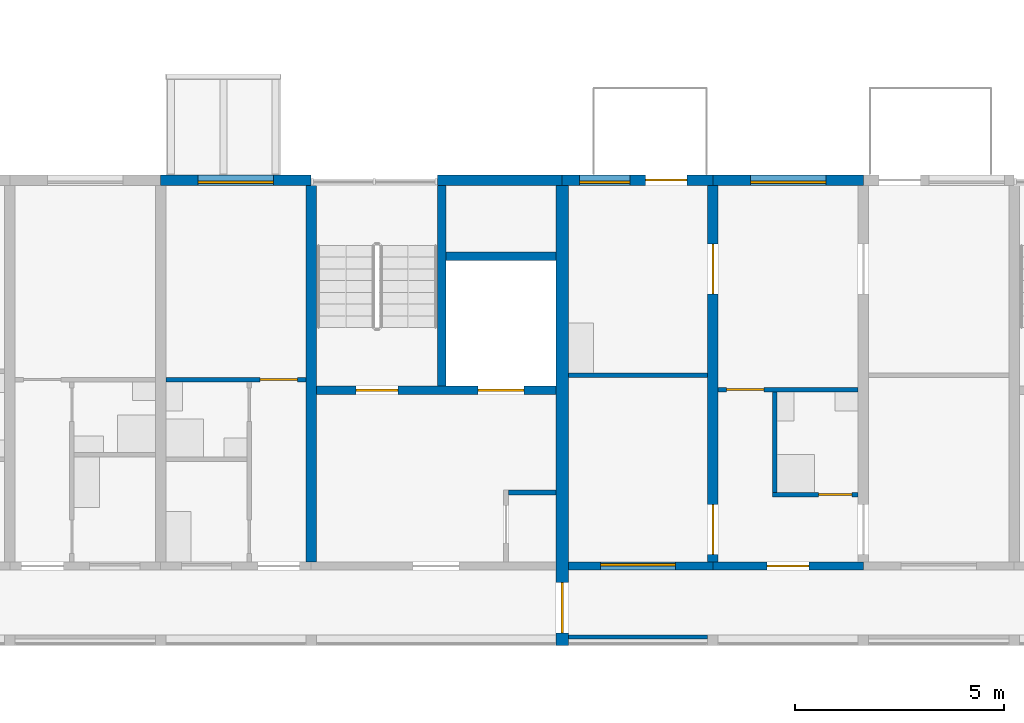
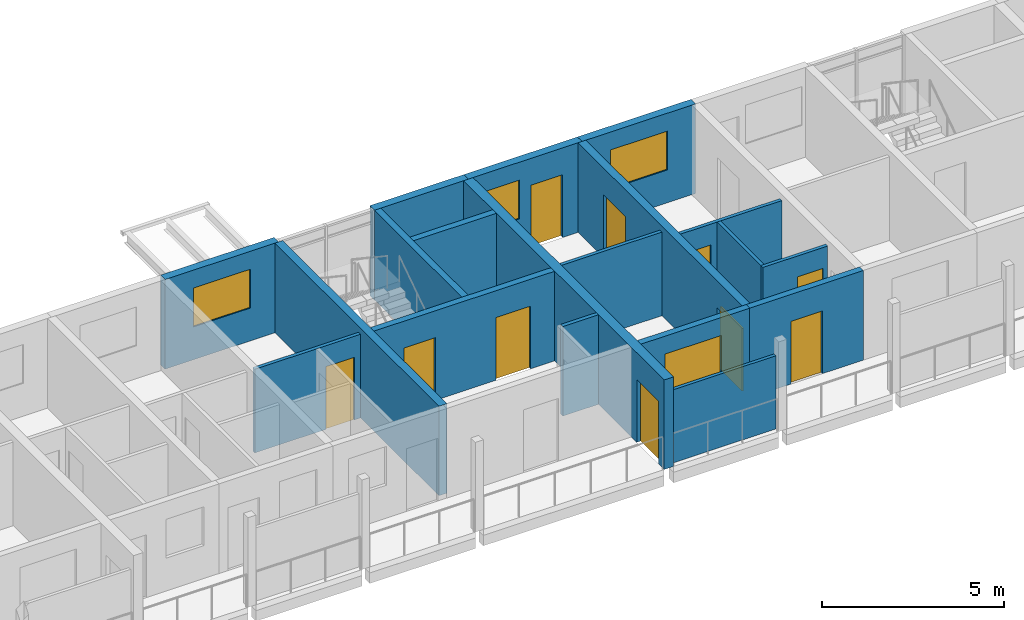
# One storey, part 50 of 100: 19 walls, 10 doors, 4 windows, 14 openings.
"""IFC4 building model written with IfcOpenShell, lengths in metres."""

from ifc_helpers import new_model, si_unit, direction, frame, frame_2d, origin, place, context, subcontext, project, spatial, rectangle, extrude, material, layer, layer_set, type_object, element, fill, save


model = new_model("IFC4")

# Units and contexts
model_context = context("Model", 3, precision=1e-05, world=origin(), true_north=direction((0.0, 1.0)))
body_context = subcontext(model_context, "Body", "Model", "MODEL_VIEW")
ifc_project = project(units=[si_unit("LENGTHUNIT", "METRE"), si_unit("AREAUNIT", "SQUARE_METRE"), si_unit("VOLUMEUNIT", "CUBIC_METRE"), si_unit("PLANEANGLEUNIT", "RADIAN"), si_unit("MASSUNIT", "GRAM", prefix="KILO")], contexts=[model_context])

# Site, building, storey
site_placement = place(None, origin())
site = spatial("IfcSite", under=ifc_project, at=site_placement, CompositionType="ELEMENT")
building_placement = place(site_placement, origin())
building = spatial("IfcBuilding", under=site, at=building_placement, Name="Ridgestep Commons", CompositionType="ELEMENT")
storey_placement = place(building_placement, frame((0.0, 0.0, 9.0)))
storey = spatial("IfcBuildingStorey", under=building, at=storey_placement, Name="L03", CompositionType="ELEMENT", Elevation=9.0)

# Walls
ifc_material_1 = material(Name="Concrete C30/37", Category="concrete")
ifc_layer_1 = layer(ifc_material_1, 0.25)
ifc_layer_set_1 = layer_set([ifc_layer_1], Name="Core cross wall 250")
wall_type_1 = type_object("IfcWallType", Name="Core cross wall 250", PredefinedType="SHEAR", material=ifc_layer_set_1)
wall_1_placement = place(storey_placement, frame((191.199951171875, 13.75, 0.0), z_axis=(0.0, 0.0, 1.0), x_axis=(0.0, 1.0, 0.0)))
element("IfcWall", 1, at=wall_1_placement, inside=storey, type_object=wall_type_1, Name="Cross wall D-03-1912", PredefinedType="SHEAR", context=body_context, shape_type="SweptSolid", body=[
    extrude(rectangle(XDim=9.0, YDim=0.25, at=frame_2d((4.5, 0.0))), origin(), (0.0, 0.0, 1.0), 3.0),
])
ifc_material_2 = material(Name="Concrete C30/37", Category="concrete")
ifc_layer_2 = layer(ifc_material_2, 0.1201171875)
ifc_layer_set_2 = layer_set([ifc_layer_2], Name="Core wall 120")
wall_type_2 = type_object("IfcWallType", Name="Core wall 120", PredefinedType="SHEAR", material=ifc_layer_set_2)
wall_2_placement = place(storey_placement, frame((195.919921875, 15.409912109375, 0.0), z_axis=(0.0, 0.0, 1.0), x_axis=(1.0, 0.0, 0.0)))
element("IfcWall", 2, at=wall_2_placement, inside=storey, type_object=wall_type_2, Name="Core riser n wall D3C L03", PredefinedType="SHEAR", context=body_context, shape_type="SweptSolid", body=[
    extrude(rectangle(XDim=1.130126953125, YDim=0.1201171875, at=frame_2d((0.56494140625, 0.0))), origin(), (0.0, 0.0, 1.0), 3.0),
])

# Wall, openings, doors
ifc_material_3 = material(Name="Concrete C30/37", Category="concrete")
ifc_layer_3 = layer(ifc_material_3, 0.199951171875)
ifc_layer_set_3 = layer_set([ifc_layer_3], Name="Core wall 200")
wall_type_3 = type_object("IfcWallType", Name="Core wall 200", PredefinedType="SHEAR", material=ifc_layer_set_3)
wall_3_placement = place(storey_placement, frame((191.324951171875, 17.85009765625, 0.0), z_axis=(0.0, 0.0, 1.0), x_axis=(1.0, 0.0, 0.0)))
wall_3 = element("IfcWall", 3, at=wall_3_placement, inside=storey, type_object=wall_type_3, Name="Core lobby wall D3C L03", PredefinedType="SHEAR", context=body_context, shape_type="SweptSolid", body=[
    extrude(rectangle(XDim=5.72509765625, YDim=0.199951171875, at=frame_2d((2.862548828125, 0.0))), origin(), (0.0, 0.0, 1.0), 3.0),
])
opening_1_placement = place(wall_3_placement, frame((0.949951171875, 0.0, 0.0)))
opening_1 = element("IfcOpeningElement", 4, at=opening_1_placement, cuts=wall_3, Name="Opening D3C/03/2", PredefinedType="OPENING", context=body_context, shape_type="SweptSolid", body=[
    extrude(rectangle(XDim=1.0, YDim=2.10009765625, at=frame_2d((0.5, 1.050048828125))), frame((0.0, 0.10986328125, 0.0), z_axis=(0.0, -1.0, 0.0), x_axis=(1.0, 0.0, 0.0)), (0.0, 0.0, 1.0), 0.219970703125),
])
opening_2_placement = place(wall_3_placement, frame((3.862548828125, 0.0, 0.0)))
opening_2 = element("IfcOpeningElement", 5, at=opening_2_placement, cuts=wall_3, Name="Opening D3C/03/3", PredefinedType="OPENING", context=body_context, shape_type="SweptSolid", body=[
    extrude(rectangle(XDim=1.10009765625, YDim=2.10009765625, at=frame_2d((0.550048828125, 1.050048828125))), frame((0.0, 0.10986328125, 0.0), z_axis=(0.0, -1.0, 0.0), x_axis=(1.0, 0.0, 0.0)), (0.0, 0.0, 1.0), 0.219970703125),
])
ifc_material_4 = material(Name="Stainless steel", Category="steel")
door_type_1 = type_object("IfcDoorType", Name="Lift landing door 1100 x 2100 FD60", OperationType="DOUBLE_DOOR_SLIDING", PredefinedType="DOOR", material=ifc_material_4)
door_1_placement = place(opening_2_placement, origin())
door_1 = element("IfcDoor", 6, at=door_1_placement, inside=storey, type_object=door_type_1, Name="Landing door LD D3C L03", OperationType="DOUBLE_DOOR_SLIDING", OverallHeight=2.10009765625, OverallWidth=1.10009765625, PredefinedType="DOOR", context=body_context, shape_type="SweptSolid", body=[
    extrude(rectangle(XDim=1.10009765625, YDim=2.10009765625, at=frame_2d((0.550048828125, 1.050048828125))), frame((0.0, 0.02490234375, 0.0), z_axis=(0.0, -1.0, 0.0), x_axis=(1.0, 0.0, 0.0)), (0.0, 0.0, 1.0), 0.050048828125),
])
fill(opening_2, door_1)
ifc_material_5 = material(Name="Steel fire door", Category="steel")
door_type_2 = type_object("IfcDoorType", Name="Stair door 1000 x 2100 FD60", OperationType="NOTDEFINED", PredefinedType="DOOR", material=ifc_material_5)
door_2_placement = place(opening_1_placement, origin())
door_2 = element("IfcDoor", 7, at=door_2_placement, inside=storey, type_object=door_type_2, Name="Stair door D3C/03/2", OperationType="SINGLE_SWING_RIGHT", OverallHeight=2.10009765625, OverallWidth=1.0, PredefinedType="DOOR", context=body_context, shape_type="SweptSolid", body=[
    extrude(rectangle(XDim=1.0, YDim=2.10009765625, at=frame_2d((0.5, 1.050048828125))), frame((0.0, 0.02490234375, 0.0), z_axis=(0.0, -1.0, 0.0), x_axis=(1.0, 0.0, 0.0)), (0.0, 0.0, 1.0), 0.050048828125),
])
fill(opening_1, door_2)

# Walls
wall_4_placement = place(storey_placement, frame((194.324951171875, 17.949951171875, 0.0), z_axis=(0.0, 0.0, 1.0), x_axis=(0.0, 1.0, 0.0)))
element("IfcWall", 8, at=wall_4_placement, inside=storey, type_object=wall_type_3, Name="Core stair wall D3C L03", PredefinedType="SHEAR", context=body_context, shape_type="SweptSolid", body=[
    extrude(rectangle(XDim=4.800048828125, YDim=0.199951171875, at=frame_2d((2.39990234375, 0.0))), origin(), (0.0, 0.0, 1.0), 3.0),
])
wall_5_placement = place(storey_placement, frame((194.425048828125, 21.050048828125, 0.0), z_axis=(0.0, 0.0, 1.0), x_axis=(1.0, 0.0, 0.0)))
element("IfcWall", 9, at=wall_5_placement, inside=storey, type_object=wall_type_3, Name="Core duct wall D3C L03", PredefinedType="SHEAR", context=body_context, shape_type="SweptSolid", body=[
    extrude(rectangle(XDim=2.625, YDim=0.199951171875, at=frame_2d((1.3125, 0.0))), origin(), (0.0, 0.0, 1.0), 3.0),
])

# Wall, openings, doors
ifc_material_6 = material(Name="Precast concrete C40/50", Category="concrete")
ifc_layer_4 = layer(ifc_material_6, 0.25)
ifc_layer_set_4 = layer_set([ifc_layer_4], Name="Cross wall 250")
wall_type_4 = type_object("IfcWallType", Name="Cross wall 250", PredefinedType="SHEAR", material=ifc_layer_set_4)
wall_6_placement = place(storey_placement, frame((200.800048828125, 13.75, 0.0), z_axis=(0.0, 0.0, 1.0), x_axis=(0.0, 1.0, 0.0)))
wall_6 = element("IfcWall", 10, at=wall_6_placement, inside=storey, type_object=wall_type_4, Name="Cross wall D-03-2008", PredefinedType="SHEAR", context=body_context, shape_type="SweptSolid", body=[
    extrude(rectangle(XDim=9.0, YDim=0.25, at=frame_2d((4.5, 0.0))), origin(), (0.0, 0.0, 1.0), 3.0),
])
opening_3_placement = place(wall_6_placement, frame((0.175048828125, 0.0, 0.0)))
opening_3 = element("IfcOpeningElement", 11, at=opening_3_placement, cuts=wall_6, Name="Opening D4-03a/4", PredefinedType="OPENING", context=body_context, shape_type="SweptSolid", body=[
    extrude(rectangle(XDim=1.199951171875, YDim=2.10009765625, at=frame_2d((0.60009765625, 1.050048828125))), frame((0.0, 0.135009765625, 0.0), z_axis=(0.0, -1.0, 0.0), x_axis=(1.0, 0.0, 0.0)), (0.0, 0.0, 1.0), 0.27001953125),
])
opening_4_placement = place(wall_6_placement, frame((6.39990234375, 0.0, 0.0)))
opening_4 = element("IfcOpeningElement", 12, at=opening_4_placement, cuts=wall_6, Name="Opening D4-03a/5", PredefinedType="OPENING", context=body_context, shape_type="SweptSolid", body=[
    extrude(rectangle(XDim=1.199951171875, YDim=2.10009765625, at=frame_2d((0.60009765625, 1.050048828125))), frame((0.0, 0.135009765625, 0.0), z_axis=(0.0, -1.0, 0.0), x_axis=(1.0, 0.0, 0.0)), (0.0, 0.0, 1.0), 0.27001953125),
])
ifc_material_7 = material(Name="Timber door leaf", Category="wood")
door_type_3 = type_object("IfcDoorType", Name="Double door 1200 x 2100", OperationType="DOUBLE_DOOR_SINGLE_SWING", PredefinedType="DOOR", material=ifc_material_7)
door_3_placement = place(opening_3_placement, origin())
door_3 = element("IfcDoor", 13, at=door_3_placement, inside=storey, type_object=door_type_3, Name="Double door D4-03a/4", OperationType="DOUBLE_DOOR_SINGLE_SWING", OverallHeight=2.10009765625, OverallWidth=1.199951171875, PredefinedType="DOOR", context=body_context, shape_type="SweptSolid", body=[
    extrude(rectangle(XDim=1.199951171875, YDim=2.10009765625, at=frame_2d((0.60009765625, 1.050048828125))), frame((0.0, 0.02490234375, 0.0), z_axis=(0.0, -1.0, 0.0), x_axis=(1.0, 0.0, 0.0)), (0.0, 0.0, 1.0), 0.050048828125),
])
fill(opening_3, door_3)
door_4_placement = place(opening_4_placement, origin())
door_4 = element("IfcDoor", 14, at=door_4_placement, inside=storey, type_object=door_type_3, Name="Double door D4-03a/5", OperationType="DOUBLE_DOOR_SINGLE_SWING", OverallHeight=2.10009765625, OverallWidth=1.199951171875, PredefinedType="DOOR", context=body_context, shape_type="SweptSolid", body=[
    extrude(rectangle(XDim=1.199951171875, YDim=2.10009765625, at=frame_2d((0.60009765625, 1.050048828125))), frame((0.0, 0.02490234375, 0.0), z_axis=(0.0, -1.0, 0.0), x_axis=(1.0, 0.0, 0.0)), (0.0, 0.0, 1.0), 0.050048828125),
])
fill(opening_4, door_4)

# Wall, opening, door
ifc_material_8 = material(Name="Precast concrete C40/50", Category="concrete")
ifc_layer_5 = layer(ifc_material_8, 0.300048828125)
ifc_layer_set_5 = layer_set([ifc_layer_5], Name="Division wall 300")
wall_type_5 = type_object("IfcWallType", Name="Division wall 300", PredefinedType="SHEAR", material=ifc_layer_set_5)
wall_7_placement = place(storey_placement, frame((197.199951171875, 11.75, 0.0), z_axis=(0.0, 0.0, 1.0), x_axis=(0.0, 1.0, 0.0)))
wall_7 = element("IfcWall", 15, at=wall_7_placement, inside=storey, type_object=wall_type_5, Name="Cross wall D-03-1972", PredefinedType="SHEAR", context=body_context, shape_type="SweptSolid", body=[
    extrude(rectangle(XDim=11.0, YDim=0.300048828125, at=frame_2d((5.5, 0.0))), origin(), (0.0, 0.0, 1.0), 3.0),
])
opening_5_placement = place(wall_7_placement, frame((0.300048828125, 0.0, 0.0)))
opening_5 = element("IfcOpeningElement", 16, at=opening_5_placement, cuts=wall_7, Name="Opening D/03/G1972", PredefinedType="OPENING", context=body_context, shape_type="SweptSolid", body=[
    extrude(rectangle(XDim=1.199951171875, YDim=2.10009765625, at=frame_2d((0.60009765625, 1.050048828125))), frame((0.0, 0.159912109375, 0.0), z_axis=(0.0, -1.0, 0.0), x_axis=(1.0, 0.0, 0.0)), (0.0, 0.0, 1.0), 0.320068359375),
])
ifc_material_9 = material(Name="Steel fire door", Category="steel")
door_type_4 = type_object("IfcDoorType", Name="Division fire door 1200 x 2100 EI 240", OperationType="DOUBLE_DOOR_SINGLE_SWING", PredefinedType="DOOR", material=ifc_material_9)
door_5_placement = place(opening_5_placement, origin())
door_5 = element("IfcDoor", 17, at=door_5_placement, inside=storey, type_object=door_type_4, Name="Division fire door D/03/G1972", OperationType="DOUBLE_DOOR_SINGLE_SWING", OverallHeight=2.10009765625, OverallWidth=1.199951171875, PredefinedType="DOOR", context=body_context, shape_type="SweptSolid", body=[
    extrude(rectangle(XDim=1.199951171875, YDim=2.10009765625, at=frame_2d((0.60009765625, 1.050048828125))), frame((0.0, 0.02490234375, 0.0), z_axis=(0.0, -1.0, 0.0), x_axis=(1.0, 0.0, 0.0)), (0.0, 0.0, 1.0), 0.050048828125),
])
fill(opening_5, door_5)

# Wall, opening, window
ifc_material_10 = material(Name="Precast concrete C40/50", Category="concrete")
ifc_layer_6 = layer(ifc_material_10, 0.25)
ifc_layer_set_6 = layer_set([ifc_layer_6], Name="North facade panel 250")
wall_type_6 = type_object("IfcWallType", Name="North facade panel 250", PredefinedType="SOLIDWALL", material=ifc_layer_set_6)
wall_8_placement = place(storey_placement, frame((187.60009765625, 22.875, 0.0), z_axis=(0.0, 0.0, 1.0), x_axis=(1.0, 0.0, 0.0)))
wall_8 = element("IfcWall", 18, at=wall_8_placement, inside=storey, type_object=wall_type_6, Name="North panel D3T3 L03", PredefinedType="SOLIDWALL", context=body_context, shape_type="SweptSolid", body=[
    extrude(rectangle(XDim=3.599853515625, YDim=0.25, at=frame_2d((1.7998046875, 0.0))), origin(), (0.0, 0.0, 1.0), 3.0),
])
opening_6_placement = place(wall_8_placement, frame((0.89990234375, 0.0, 1.10009765625)))
opening_6 = element("IfcOpeningElement", 19, at=opening_6_placement, cuts=wall_8, Name="Opening W18", PredefinedType="OPENING", context=body_context, shape_type="SweptSolid", body=[
    extrude(rectangle(XDim=1.800048828125, YDim=1.300048828125, at=frame_2d((0.89990234375, 0.64990234375))), frame((0.0, 0.135009765625, 0.0), z_axis=(0.0, -1.0, 0.0), x_axis=(1.0, 0.0, 0.0)), (0.0, 0.0, 1.0), 0.27001953125),
])
ifc_material_11 = material(Name="Aluminium 6063-T6 and glass", Category="aluminium")
window_type_1 = type_object("IfcWindowType", Name="Flat window 1800 x 1300", PartitioningType="DOUBLE_PANEL_VERTICAL", PredefinedType="WINDOW", material=ifc_material_11)
window_1_placement = place(opening_6_placement, origin())
window_1 = element("IfcWindow", 20, at=window_1_placement, inside=storey, type_object=window_type_1, Name="Window D3-03c 2", OverallHeight=1.300048828125, OverallWidth=1.800048828125, PartitioningType="SINGLE_PANEL", PredefinedType="WINDOW", context=body_context, shape_type="SweptSolid", body=[
    extrude(rectangle(XDim=1.800048828125, YDim=1.300048828125, at=frame_2d((0.89990234375, 0.64990234375))), frame((0.0, -0.02490234375, 0.0), z_axis=(0.0, -1.0, 0.0), x_axis=(1.0, 0.0, 0.0)), (0.0, 0.0, 1.0), 0.06005859375),
])
fill(opening_6, window_1)

# Wall
wall_9_placement = place(storey_placement, frame((194.22509765625, 22.875, 0.0), z_axis=(0.0, 0.0, 1.0), x_axis=(1.0, 0.0, 0.0)))
element("IfcWall", 21, at=wall_9_placement, inside=storey, type_object=wall_type_6, Name="North panel D3C L03", PredefinedType="SOLIDWALL", context=body_context, shape_type="SweptSolid", body=[
    extrude(rectangle(XDim=2.974853515625, YDim=0.25, at=frame_2d((1.4873046875, 0.0))), origin(), (0.0, 0.0, 1.0), 3.0),
])

# Wall, openings, door, window
wall_10_placement = place(storey_placement, frame((197.199951171875, 22.875, 0.0), z_axis=(0.0, 0.0, 1.0), x_axis=(1.0, 0.0, 0.0)))
wall_10 = element("IfcWall", 22, at=wall_10_placement, inside=storey, type_object=wall_type_6, Name="North panel D4T1 L03", PredefinedType="SOLIDWALL", context=body_context, shape_type="SweptSolid", body=[
    extrude(rectangle(XDim=3.60009765625, YDim=0.25, at=frame_2d((1.800048828125, 0.0))), origin(), (0.0, 0.0, 1.0), 3.0),
])
opening_7_placement = place(wall_10_placement, frame((0.41796875, 0.0, 1.10009765625)))
opening_7 = element("IfcOpeningElement", 23, at=opening_7_placement, cuts=wall_10, Name="Opening W08", PredefinedType="OPENING", context=body_context, shape_type="SweptSolid", body=[
    extrude(rectangle(XDim=1.199951171875, YDim=1.300048828125, at=frame_2d((0.60009765625, 0.64990234375))), frame((0.0, 0.135009765625, 0.0), z_axis=(0.0, -1.0, 0.0), x_axis=(1.0, 0.0, 0.0)), (0.0, 0.0, 1.0), 0.27001953125),
])
opening_8_placement = place(wall_10_placement, frame((1.986083984375, 0.0, 0.0)))
opening_8 = element("IfcOpeningElement", 24, at=opening_8_placement, cuts=wall_10, Name="Opening D4-03a/8", PredefinedType="OPENING", context=body_context, shape_type="SweptSolid", body=[
    extrude(rectangle(XDim=1.0, YDim=2.10009765625, at=frame_2d((0.5, 1.050048828125))), frame((0.0, 0.135009765625, 0.0), z_axis=(0.0, -1.0, 0.0), x_axis=(1.0, 0.0, 0.0)), (0.0, 0.0, 1.0), 0.27001953125),
])
ifc_material_12 = material(Name="Aluminium and glass", Category="aluminium")
door_type_5 = type_object("IfcDoorType", Name="Balcony door 1000 x 2100", OperationType="NOTDEFINED", PredefinedType="DOOR", material=ifc_material_12)
door_6_placement = place(opening_8_placement, origin())
door_6 = element("IfcDoor", 25, at=door_6_placement, inside=storey, type_object=door_type_5, Name="Balcony door D4-03a/8", OperationType="SINGLE_SWING_LEFT", OverallHeight=2.10009765625, OverallWidth=1.0, PredefinedType="DOOR", context=body_context, shape_type="SweptSolid", body=[
    extrude(rectangle(XDim=1.0, YDim=2.10009765625, at=frame_2d((0.5, 1.050048828125))), frame((0.0, 0.02490234375, 0.0), z_axis=(0.0, -1.0, 0.0), x_axis=(1.0, 0.0, 0.0)), (0.0, 0.0, 1.0), 0.050048828125),
])
fill(opening_8, door_6)
ifc_material_13 = material(Name="Aluminium 6063-T6 and glass", Category="aluminium")
window_type_2 = type_object("IfcWindowType", Name="Flat window 1200 x 1300", PartitioningType="SINGLE_PANEL", PredefinedType="WINDOW", material=ifc_material_13)
window_2_placement = place(opening_7_placement, origin())
window_2 = element("IfcWindow", 26, at=window_2_placement, inside=storey, type_object=window_type_2, Name="Window D4-03a 2", OverallHeight=1.300048828125, OverallWidth=1.199951171875, PartitioningType="SINGLE_PANEL", PredefinedType="WINDOW", context=body_context, shape_type="SweptSolid", body=[
    extrude(rectangle(XDim=1.199951171875, YDim=1.300048828125, at=frame_2d((0.60009765625, 0.64990234375))), frame((0.0, -0.02490234375, 0.0), z_axis=(0.0, -1.0, 0.0), x_axis=(1.0, 0.0, 0.0)), (0.0, 0.0, 1.0), 0.06005859375),
])
fill(opening_7, window_2)

# Wall, opening, window
wall_11_placement = place(storey_placement, frame((200.800048828125, 22.875, 0.0), z_axis=(0.0, 0.0, 1.0), x_axis=(1.0, 0.0, 0.0)))
wall_11 = element("IfcWall", 27, at=wall_11_placement, inside=storey, type_object=wall_type_6, Name="North panel D4T2 L03", PredefinedType="SOLIDWALL", context=body_context, shape_type="SweptSolid", body=[
    extrude(rectangle(XDim=3.599853515625, YDim=0.25, at=frame_2d((1.7998046875, 0.0))), origin(), (0.0, 0.0, 1.0), 3.0),
])
opening_9_placement = place(wall_11_placement, frame((0.89990234375, 0.0, 1.10009765625)))
opening_9 = element("IfcOpeningElement", 28, at=opening_9_placement, cuts=wall_11, Name="Opening W18", PredefinedType="OPENING", context=body_context, shape_type="SweptSolid", body=[
    extrude(rectangle(XDim=1.800048828125, YDim=1.300048828125, at=frame_2d((0.89990234375, 0.64990234375))), frame((0.0, 0.135009765625, 0.0), z_axis=(0.0, -1.0, 0.0), x_axis=(1.0, 0.0, 0.0)), (0.0, 0.0, 1.0), 0.27001953125),
])
window_3_placement = place(opening_9_placement, origin())
window_3 = element("IfcWindow", 29, at=window_3_placement, inside=storey, type_object=window_type_1, Name="Window D4-03a 5", OverallHeight=1.300048828125, OverallWidth=1.800048828125, PartitioningType="SINGLE_PANEL", PredefinedType="WINDOW", context=body_context, shape_type="SweptSolid", body=[
    extrude(rectangle(XDim=1.800048828125, YDim=1.300048828125, at=frame_2d((0.89990234375, 0.64990234375))), frame((0.0, -0.02490234375, 0.0), z_axis=(0.0, -1.0, 0.0), x_axis=(1.0, 0.0, 0.0)), (0.0, 0.0, 1.0), 0.06005859375),
])
fill(opening_9, window_3)

# Wall, opening, door
ifc_material_14 = material(Name="Common brick 110 mm", Category="masonry")
ifc_layer_7 = layer(ifc_material_14, 0.110107421875)
ifc_layer_set_7 = layer_set([ifc_layer_7], Name="Partition 110")
wall_type_7 = type_object("IfcWallType", Name="Partition 110", PredefinedType="PARTITIONING", material=ifc_layer_set_7)
wall_12_placement = place(storey_placement, frame((187.72509765625, 18.10498046875, 0.0), z_axis=(0.0, 0.0, 1.0), x_axis=(1.0, 0.0, 0.0)))
wall_12 = element("IfcWall", 30, at=wall_12_placement, inside=storey, type_object=wall_type_7, Name="Partition D3-03c", PredefinedType="PARTITIONING", context=body_context, shape_type="SweptSolid", body=[
    extrude(rectangle(XDim=3.349853515625, YDim=0.110107421875, at=frame_2d((1.6748046875, 0.0))), origin(), (0.0, 0.0, 1.0), 2.800048828125),
])
opening_10_placement = place(wall_12_placement, frame((2.25, 0.0, 0.0)))
opening_10 = element("IfcOpeningElement", 31, at=opening_10_placement, cuts=wall_12, Name="Opening D3-03c/4", PredefinedType="OPENING", context=body_context, shape_type="SweptSolid", body=[
    extrude(rectangle(XDim=0.89990234375, YDim=2.10009765625, at=frame_2d((0.449951171875, 1.050048828125))), frame((0.0, 0.06494140625, 0.0), z_axis=(0.0, -1.0, 0.0), x_axis=(1.0, 0.0, 0.0)), (0.0, 0.0, 1.0), 0.130126953125),
])
ifc_material_15 = material(Name="Timber door leaf", Category="wood")
door_type_6 = type_object("IfcDoorType", Name="Internal door 900 x 2100", OperationType="NOTDEFINED", PredefinedType="DOOR", material=ifc_material_15)
door_7_placement = place(opening_10_placement, origin())
door_7 = element("IfcDoor", 32, at=door_7_placement, inside=storey, type_object=door_type_6, Name="Internal door D3-03c/4", OperationType="SINGLE_SWING_LEFT", OverallHeight=2.10009765625, OverallWidth=0.89990234375, PredefinedType="DOOR", context=body_context, shape_type="SweptSolid", body=[
    extrude(rectangle(XDim=0.89990234375, YDim=2.10009765625, at=frame_2d((0.449951171875, 1.050048828125))), frame((0.0, 0.02490234375, 0.0), z_axis=(0.0, -1.0, 0.0), x_axis=(1.0, 0.0, 0.0)), (0.0, 0.0, 1.0), 0.050048828125),
])
fill(opening_10, door_7)

wall_13_placement = place(storey_placement, frame((202.22509765625, 15.35498046875, 0.0), z_axis=(0.0, 0.0, 1.0), x_axis=(1.0, 0.0, 0.0)))
wall_13 = element("IfcWall", 33, at=wall_13_placement, inside=storey, type_object=wall_type_7, Name="Partition D4-03a", PredefinedType="PARTITIONING", context=body_context, shape_type="SweptSolid", body=[
    extrude(rectangle(XDim=2.0498046875, YDim=0.110107421875, at=frame_2d((1.02490234375, 0.0))), origin(), (0.0, 0.0, 1.0), 2.800048828125),
])
opening_11_placement = place(wall_13_placement, frame((1.10009765625, 0.0, 0.0)))
opening_11 = element("IfcOpeningElement", 34, at=opening_11_placement, cuts=wall_13, Name="Opening D4-03a/2", PredefinedType="OPENING", context=body_context, shape_type="SweptSolid", body=[
    extrude(rectangle(XDim=0.800048828125, YDim=2.10009765625, at=frame_2d((0.39990234375, 1.050048828125))), frame((0.0, 0.06494140625, 0.0), z_axis=(0.0, -1.0, 0.0), x_axis=(1.0, 0.0, 0.0)), (0.0, 0.0, 1.0), 0.130126953125),
])
ifc_material_16 = material(Name="Timber door leaf", Category="wood")
door_type_7 = type_object("IfcDoorType", Name="Internal door 800 x 2100", OperationType="NOTDEFINED", PredefinedType="DOOR", material=ifc_material_16)
door_8_placement = place(opening_11_placement, origin())
door_8 = element("IfcDoor", 35, at=door_8_placement, inside=storey, type_object=door_type_7, Name="Internal door D4-03a/2", OperationType="SINGLE_SWING_RIGHT", OverallHeight=2.10009765625, OverallWidth=0.800048828125, PredefinedType="DOOR", context=body_context, shape_type="SweptSolid", body=[
    extrude(rectangle(XDim=0.800048828125, YDim=2.10009765625, at=frame_2d((0.39990234375, 1.050048828125))), frame((0.0, 0.02490234375, 0.0), z_axis=(0.0, -1.0, 0.0), x_axis=(1.0, 0.0, 0.0)), (0.0, 0.0, 1.0), 0.050048828125),
])
fill(opening_11, door_8)

# Wall
wall_14_placement = place(storey_placement, frame((202.280029296875, 15.409912109375, 0.0), z_axis=(0.0, 0.0, 1.0), x_axis=(0.0, 1.0, 0.0)))
element("IfcWall", 36, at=wall_14_placement, inside=storey, type_object=wall_type_7, Name="Partition D4-03a", PredefinedType="PARTITIONING", context=body_context, shape_type="SweptSolid", body=[
    extrude(rectangle(XDim=2.400146484375, YDim=0.110107421875, at=frame_2d((1.2001953125, 0.0))), origin(), (0.0, 0.0, 1.0), 2.800048828125),
])

# Wall, opening, door
wall_15_placement = place(storey_placement, frame((200.925048828125, 17.864990234375, 0.0), z_axis=(0.0, 0.0, 1.0), x_axis=(1.0, 0.0, 0.0)))
wall_15 = element("IfcWall", 37, at=wall_15_placement, inside=storey, type_object=wall_type_7, Name="Partition D4-03a", PredefinedType="PARTITIONING", context=body_context, shape_type="SweptSolid", body=[
    extrude(rectangle(XDim=3.349853515625, YDim=0.110107421875, at=frame_2d((1.6748046875, 0.0))), origin(), (0.0, 0.0, 1.0), 2.800048828125),
])
opening_12_placement = place(wall_15_placement, frame((0.199951171875, 0.0, 0.0)))
opening_12 = element("IfcOpeningElement", 38, at=opening_12_placement, cuts=wall_15, Name="Opening D4-03a/3", PredefinedType="OPENING", context=body_context, shape_type="SweptSolid", body=[
    extrude(rectangle(XDim=0.89990234375, YDim=2.10009765625, at=frame_2d((0.449951171875, 1.050048828125))), frame((0.0, 0.06494140625, 0.0), z_axis=(0.0, -1.0, 0.0), x_axis=(1.0, 0.0, 0.0)), (0.0, 0.0, 1.0), 0.130126953125),
])
door_9_placement = place(opening_12_placement, origin())
door_9 = element("IfcDoor", 39, at=door_9_placement, inside=storey, type_object=door_type_6, Name="Internal door D4-03a/3", OperationType="SINGLE_SWING_LEFT", OverallHeight=2.10009765625, OverallWidth=0.89990234375, PredefinedType="DOOR", context=body_context, shape_type="SweptSolid", body=[
    extrude(rectangle(XDim=0.89990234375, YDim=2.10009765625, at=frame_2d((0.449951171875, 1.050048828125))), frame((0.0, 0.02490234375, 0.0), z_axis=(0.0, -1.0, 0.0), x_axis=(1.0, 0.0, 0.0)), (0.0, 0.0, 1.0), 0.050048828125),
])
fill(opening_12, door_9)

# Walls
wall_16_placement = place(storey_placement, frame((197.35009765625, 18.205078125, 0.0), z_axis=(0.0, 0.0, 1.0), x_axis=(1.0, 0.0, 0.0)))
element("IfcWall", 40, at=wall_16_placement, inside=storey, type_object=wall_type_7, Name="Partition D4-03a", PredefinedType="PARTITIONING", context=body_context, shape_type="SweptSolid", body=[
    extrude(rectangle(XDim=3.324951171875, YDim=0.110107421875, at=frame_2d((1.66259765625, 0.0))), origin(), (0.0, 0.0, 1.0), 2.800048828125),
])
ifc_material_17 = material(Name="Precast concrete C30/37", Category="concrete")
ifc_layer_8 = layer(ifc_material_17, 0.10009765625)
ifc_layer_set_8 = layer_set([ifc_layer_8], Name="Perforated gallery screen 3325 x 2450 x 100")
wall_type_8 = type_object("IfcWallType", Name="Perforated gallery screen 3325 x 2450 x 100", PredefinedType="SOLIDWALL", material=ifc_layer_set_8)
wall_17_placement = place(storey_placement, frame((197.35009765625, 11.949951171875, 0.0), z_axis=(0.0, 0.0, 1.0), x_axis=(1.0, 0.0, 0.0)))
element("IfcWall", 41, at=wall_17_placement, inside=storey, type_object=wall_type_8, Name="Gallery screen D4T1 03", PredefinedType="SOLIDWALL", context=body_context, shape_type="SweptSolid", body=[
    extrude(rectangle(XDim=3.324951171875, YDim=0.10009765625, at=frame_2d((1.66259765625, 0.0))), origin(), (0.0, 0.0, 1.0), 2.449951171875),
])

# Wall, opening, window
ifc_material_18 = material(Name="Precast concrete C40/50", Category="concrete")
ifc_layer_9 = layer(ifc_material_18, 0.199951171875)
ifc_layer_set_9 = layer_set([ifc_layer_9], Name="South facade panel 200")
wall_type_9 = type_object("IfcWallType", Name="South facade panel 200", PredefinedType="SOLIDWALL", material=ifc_layer_set_9)
wall_18_placement = place(storey_placement, frame((197.35009765625, 13.64990234375, 0.0), z_axis=(0.0, 0.0, 1.0), x_axis=(1.0, 0.0, 0.0)))
wall_18 = element("IfcWall", 42, at=wall_18_placement, inside=storey, type_object=wall_type_9, Name="South panel D4T1 L03", PredefinedType="SOLIDWALL", context=body_context, shape_type="SweptSolid", body=[
    extrude(rectangle(XDim=3.449951171875, YDim=0.199951171875, at=frame_2d((1.72509765625, 0.0))), origin(), (0.0, 0.0, 1.0), 3.0),
])
opening_13_placement = place(wall_18_placement, frame((0.762451171875, 0.0, 1.10009765625)))
opening_13 = element("IfcOpeningElement", 43, at=opening_13_placement, cuts=wall_18, Name="Opening W18", PredefinedType="OPENING", context=body_context, shape_type="SweptSolid", body=[
    extrude(rectangle(XDim=1.800048828125, YDim=1.300048828125, at=frame_2d((0.89990234375, 0.64990234375))), frame((0.0, 0.10986328125, 0.0), z_axis=(0.0, -1.0, 0.0), x_axis=(1.0, 0.0, 0.0)), (0.0, 0.0, 1.0), 0.219970703125),
])
window_4_placement = place(opening_13_placement, origin())
window_4 = element("IfcWindow", 44, at=window_4_placement, inside=storey, type_object=window_type_1, Name="Window D4-03a 1", OverallHeight=1.300048828125, OverallWidth=1.800048828125, PartitioningType="SINGLE_PANEL", PredefinedType="WINDOW", context=body_context, shape_type="SweptSolid", body=[
    extrude(rectangle(XDim=1.800048828125, YDim=1.300048828125, at=frame_2d((0.89990234375, 0.64990234375))), frame((0.0, 0.06005859375, 0.0), z_axis=(0.0, -1.0, 0.0), x_axis=(1.0, 0.0, 0.0)), (0.0, 0.0, 1.0), 0.06005859375),
])
fill(opening_13, window_4)

# Wall, opening, door
wall_19_placement = place(storey_placement, frame((200.800048828125, 13.64990234375, 0.0), z_axis=(0.0, 0.0, 1.0), x_axis=(1.0, 0.0, 0.0)))
wall_19 = element("IfcWall", 45, at=wall_19_placement, inside=storey, type_object=wall_type_9, Name="South panel D4T2 L03", PredefinedType="SOLIDWALL", context=body_context, shape_type="SweptSolid", body=[
    extrude(rectangle(XDim=3.599853515625, YDim=0.199951171875, at=frame_2d((1.7998046875, 0.0))), origin(), (0.0, 0.0, 1.0), 3.0),
])
opening_14_placement = place(wall_19_placement, frame((1.300048828125, 0.0, 0.0)))
opening_14 = element("IfcOpeningElement", 46, at=opening_14_placement, cuts=wall_19, Name="Opening D4-03a/1", PredefinedType="OPENING", context=body_context, shape_type="SweptSolid", body=[
    extrude(rectangle(XDim=1.0, YDim=2.10009765625, at=frame_2d((0.5, 1.050048828125))), frame((0.0, 0.10986328125, 0.0), z_axis=(0.0, -1.0, 0.0), x_axis=(1.0, 0.0, 0.0)), (0.0, 0.0, 1.0), 0.219970703125),
])
ifc_material_19 = material(Name="Timber door leaf", Category="wood")
door_type_8 = type_object("IfcDoorType", Name="Flat entrance door 1000 x 2100 FD30S", OperationType="NOTDEFINED", PredefinedType="DOOR", material=ifc_material_19)
door_10_placement = place(opening_14_placement, origin())
door_10 = element("IfcDoor", 47, at=door_10_placement, inside=storey, type_object=door_type_8, Name="Flat entrance door D4-03a/1", OperationType="SINGLE_SWING_LEFT", OverallHeight=2.10009765625, OverallWidth=1.0, PredefinedType="DOOR", context=body_context, shape_type="SweptSolid", body=[
    extrude(rectangle(XDim=1.0, YDim=2.10009765625, at=frame_2d((0.5, 1.050048828125))), frame((0.0, 0.02490234375, 0.0), z_axis=(0.0, -1.0, 0.0), x_axis=(1.0, 0.0, 0.0)), (0.0, 0.0, 1.0), 0.050048828125),
])
fill(opening_14, door_10)

save(model, "model.ifc")
